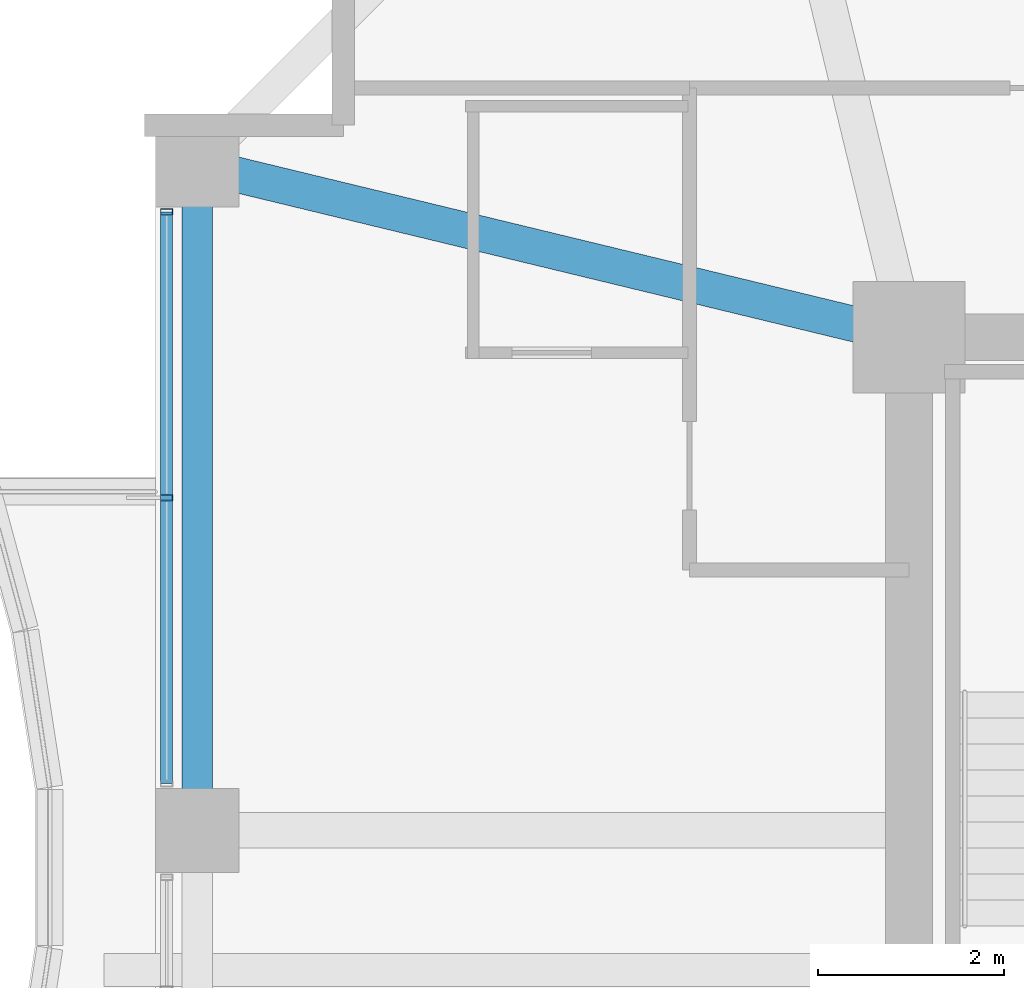
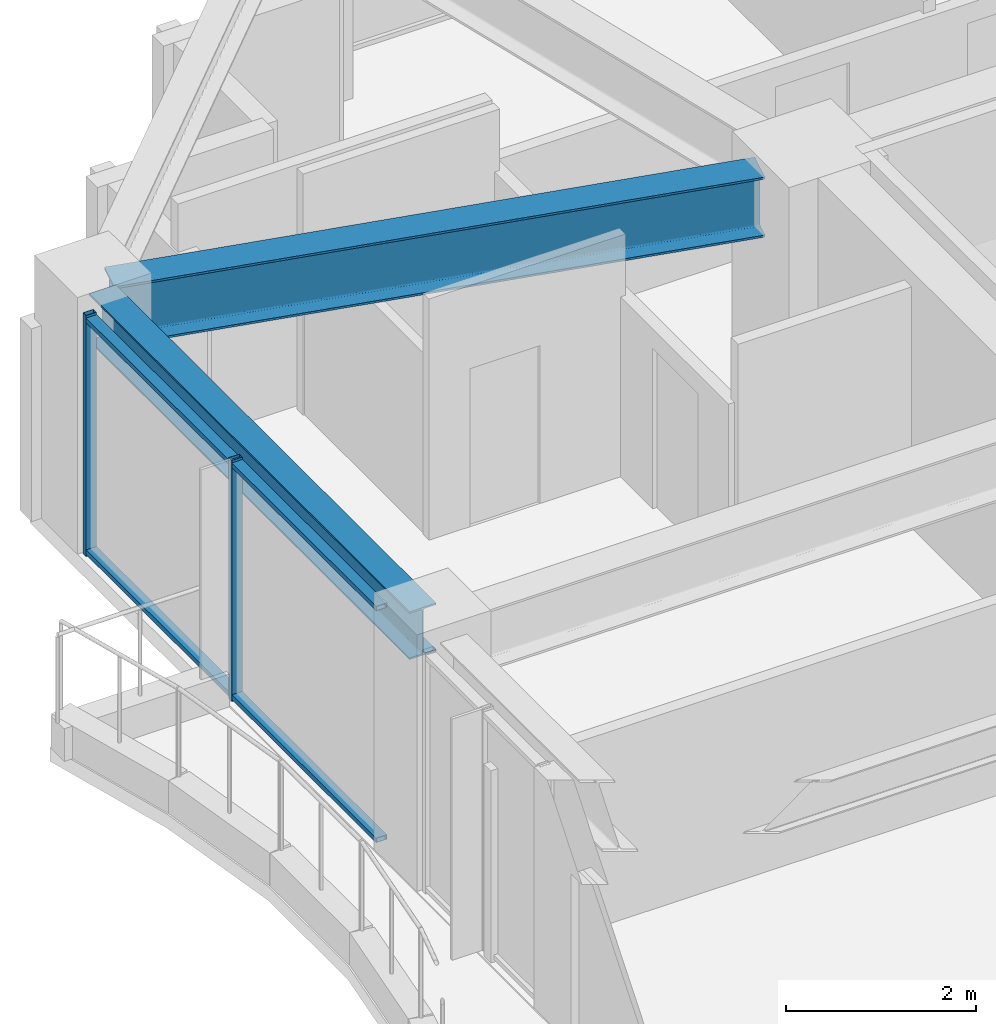
# One storey, part 10 of 33: 4 members, 2 beams, 1 element without a shape of its own.
"""IFC4 building model written with IfcOpenShell, lengths in metres."""

from ifc_helpers import new_model, si_unit, direction, frame, origin, origin_2d, place, context, subcontext, project, spatial, hollow_rectangle, i_section, extrude, material, material_profile, profile_set, type_object, element, aggregate, save


model = new_model("IFC4")

# Units and contexts
model_context = context("Model", 3, precision=1e-05, world=origin(), true_north=direction((0.0, 1.0)))
body_context = subcontext(model_context, "Body", "Model", "MODEL_VIEW")
ifc_project = project(units=[si_unit("LENGTHUNIT", "METRE"), si_unit("AREAUNIT", "SQUARE_METRE"), si_unit("VOLUMEUNIT", "CUBIC_METRE"), si_unit("PLANEANGLEUNIT", "RADIAN"), si_unit("MASSUNIT", "GRAM", prefix="KILO")], contexts=[model_context])

# Site, building, storey
site_placement = place(None, origin())
site = spatial("IfcSite", under=ifc_project, at=site_placement, CompositionType="ELEMENT")
building_placement = place(site_placement, origin())
building = spatial("IfcBuilding", under=site, at=building_placement, Name="Kolvaren Belvedere", CompositionType="ELEMENT")
storey_placement = place(building_placement, frame((0.0, 0.0, 128.300048828125)))
storey = spatial("IfcBuildingStorey", under=building, at=storey_placement, Name="L37", CompositionType="ELEMENT", Elevation=128.300048828125)

# Beams
ifc_material_1 = material(Name="Structural steel ASTM A992 Grade 50", Category="steel")
ifc_material_profile_1 = material_profile(ifc_material_1, i_section(OverallWidth=0.381103515625, OverallDepth=0.77294921875, WebThickness=0.0166015625, FlangeThickness=0.027099609375, FilletRadius=0.02392578125, at=origin_2d()), Name="W30X173")
ifc_profile_set_1 = profile_set([ifc_material_profile_1], Name="Structural steel ASTM A992 Grade 50")
beam_type_1 = type_object("IfcBeamType", Name="BM-GIRD-W30X173", PredefinedType="BEAM", material=ifc_profile_set_1)
beam_1_placement = place(storey_placement, frame((-10.4345703125, 10.029296875, 2.71337890625), z_axis=(-0.971980197119, 0.235062749937, 0.0), x_axis=(-0.235062749937, -0.971980197119, 0.0)))
element("IfcBeam", 1, at=beam_1_placement, inside=storey, type_object=beam_type_1, Name="L37 Corner Core-to-Perimeter Girder CC4-W4", PredefinedType="BEAM", context=body_context, shape_type="SweptSolid", body=[
    extrude(i_section(OverallWidth=0.381103515625, OverallDepth=0.77294921875, WebThickness=0.0166015625, FlangeThickness=0.027099609375, FilletRadius=0.02392578125, at=origin_2d()), origin(), (0.0, 0.0, 1.0), 7.140625),
])
ifc_material_2 = material(Name="Structural steel ASTM A992 Grade 50", Category="steel")
ifc_material_profile_2 = material_profile(ifc_material_2, i_section(OverallWidth=0.324951171875, OverallDepth=0.615966796875, WebThickness=0.013916015625, FlangeThickness=0.021484375, FilletRadius=0.02001953125, at=origin_2d()), Name="W24X117")
ifc_profile_set_2 = profile_set([ifc_material_profile_2], Name="Structural steel ASTM A992 Grade 50")
beam_type_2 = type_object("IfcBeamType", Name="BM-SPAN-W24X117", PredefinedType="SPANDREL", material=ifc_profile_set_2)
beam_2_placement = place(storey_placement, frame((-17.550048828125, 11.547607421875, 2.7919921875), z_axis=(0.0, -1.0, 0.0), x_axis=(1.0, 0.0, 0.0)))
element("IfcBeam", 2, at=beam_2_placement, inside=storey, type_object=beam_type_2, Name="L37 Perimeter Spandrel W4-W3", PredefinedType="SPANDREL", context=body_context, shape_type="SweptSolid", body=[
    extrude(i_section(OverallWidth=0.324951171875, OverallDepth=0.615966796875, WebThickness=0.013916015625, FlangeThickness=0.021484375, FilletRadius=0.02001953125, at=origin_2d()), origin(), (0.0, 0.0, 1.0), 6.7451171875),
])

# Curtain wall, members
ifc_material_3 = material(Name="Anodised pale-metal aluminium AA 6063-T6", Category="aluminium")
curtain_wall_type = type_object("IfcCurtainWallType", Name="CW-Z3-WAIST", PredefinedType="NOTDEFINED", material=ifc_material_3)
curtain_wall_placement = place(storey_placement, origin())
curtain_wall = element("IfcCurtainWall", 3, at=curtain_wall_placement, inside=storey, type_object=curtain_wall_type, Name="L37 Unitised Curtain Wall FCW-L37-W2-B2", PredefinedType="NOTDEFINED")
ifc_material_4 = material(Name="Anodised pale-metal aluminium AA 6063-T6", Category="aluminium")
ifc_material_profile_3 = material_profile(ifc_material_4, hollow_rectangle(XDim=0.06494140625, YDim=0.1298828125, WallThickness=0.00390625, at=origin_2d()), Name="ALU-MUL-130X65")
ifc_profile_set_3 = profile_set([ifc_material_profile_3], Name="Anodised pale-metal aluminium AA 6063-T6")
member_type_1 = type_object("IfcMemberType", Name="CW-MUL-130", PredefinedType="MULLION", material=ifc_profile_set_3)
member_1_placement = place(storey_placement, frame((-17.8798828125, 8.175048828125, 0.0), z_axis=(0.0, 0.0, 1.0), x_axis=(0.0, 1.0, 0.0)))
member_1 = element("IfcMember", 4, at=member_1_placement, type_object=member_type_1, Name="FCW-L37-W2-B2 Unitised Mullion 2", PredefinedType="MULLION", context=body_context, shape_type="SweptSolid", body=[
    extrude(hollow_rectangle(XDim=0.06494140625, YDim=0.1298828125, WallThickness=0.00390625, at=origin_2d()), origin(), (0.0, 0.0, 1.0), 3.099853515625),
])
member_2_placement = place(storey_placement, frame((-17.8798828125, 11.24755859375, 0.0), z_axis=(0.0, 0.0, 1.0), x_axis=(0.0, 1.0, 0.0)))
member_2 = element("IfcMember", 5, at=member_2_placement, type_object=member_type_1, Name="FCW-L37-W2-B2 Unitised Mullion 3", PredefinedType="MULLION", context=body_context, shape_type="SweptSolid", body=[
    extrude(hollow_rectangle(XDim=0.06494140625, YDim=0.1298828125, WallThickness=0.00390625, at=origin_2d()), origin(), (0.0, 0.0, 1.0), 3.099853515625),
])
ifc_material_5 = material(Name="Anodised pale-metal aluminium AA 6063-T6", Category="aluminium")
ifc_material_profile_4 = material_profile(ifc_material_5, hollow_rectangle(XDim=0.06005859375, YDim=0.1298828125, WallThickness=0.00390625, at=origin_2d()), Name="ALU-TRN-130X60")
ifc_profile_set_4 = profile_set([ifc_material_profile_4], Name="Anodised pale-metal aluminium AA 6063-T6")
member_type_2 = type_object("IfcMemberType", Name="CW-TRN-130", PredefinedType="USERDEFINED", material=ifc_profile_set_4)
member_3_placement = place(storey_placement, frame((-17.8798828125, 5.1025390625, 0.06005859375), z_axis=(0.0, 1.0, 0.0), x_axis=(0.0, 0.0, 1.0)))
member_3 = element("IfcMember", 6, at=member_3_placement, type_object=member_type_2, Name="FCW-L37-W2-B2 Sill Transom", ObjectType="TRANSOM", PredefinedType="USERDEFINED", context=body_context, shape_type="SweptSolid", body=[
    extrude(hollow_rectangle(XDim=0.06005859375, YDim=0.1298828125, WallThickness=0.00390625, at=origin_2d()), origin(), (0.0, 0.0, 1.0), 6.14501953125),
])
member_4_placement = place(storey_placement, frame((-17.8798828125, 5.1025390625, 3.0400390625), z_axis=(0.0, 1.0, 0.0), x_axis=(0.0, 0.0, 1.0)))
member_4 = element("IfcMember", 7, at=member_4_placement, type_object=member_type_2, Name="FCW-L37-W2-B2 Head Transom", ObjectType="TRANSOM", PredefinedType="USERDEFINED", context=body_context, shape_type="SweptSolid", body=[
    extrude(hollow_rectangle(XDim=0.06005859375, YDim=0.1298828125, WallThickness=0.00390625, at=origin_2d()), origin(), (0.0, 0.0, 1.0), 6.14501953125),
])
aggregate(curtain_wall, [member_1, member_2, member_3, member_4])

save(model, "model.ifc")
